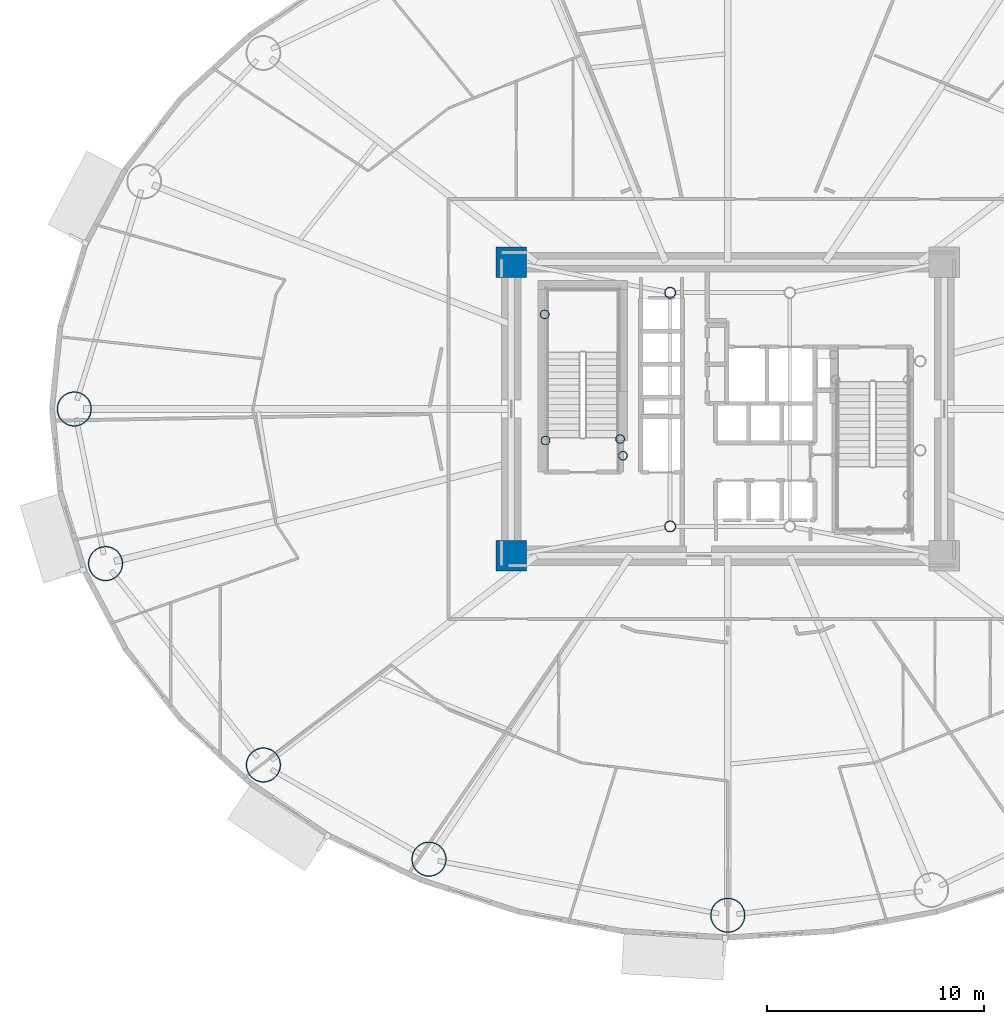
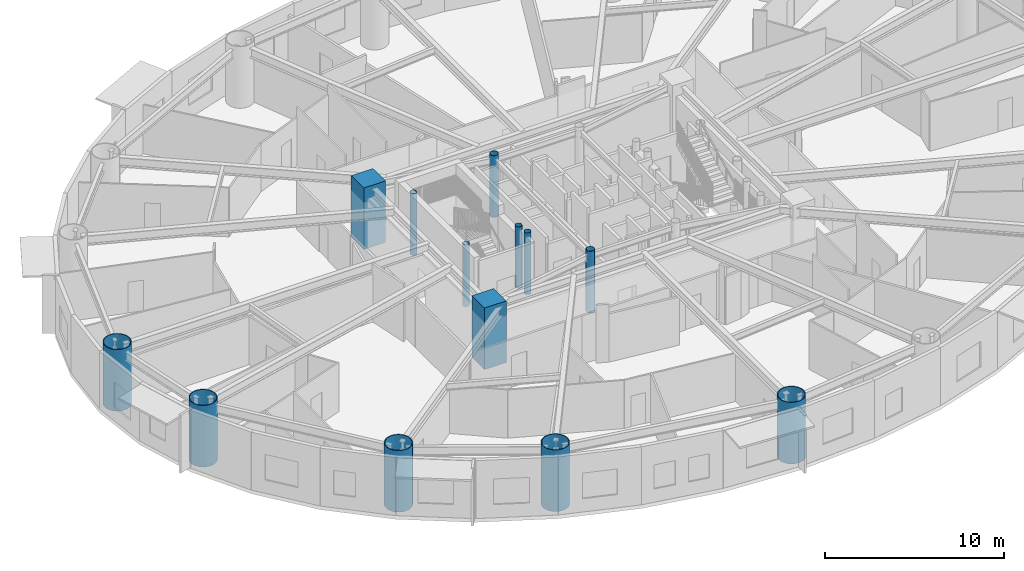
# One storey, part 1 of 21: 13 columns.
"""IFC4 building model written with IfcOpenShell, lengths in metres."""

from ifc_helpers import new_model, si_unit, direction, frame, origin, origin_2d, place, context, subcontext, project, spatial, rectangle, hollow_circle, extrude, material, material_profile, profile_set, type_object, element, save


model = new_model("IFC4")

# Units and contexts
model_context = context("Model", 3, precision=1e-05, world=origin(), true_north=direction((0.0, 1.0)))
body_context = subcontext(model_context, "Body", "Model", "MODEL_VIEW")
ifc_project = project(units=[si_unit("LENGTHUNIT", "METRE"), si_unit("AREAUNIT", "SQUARE_METRE"), si_unit("VOLUMEUNIT", "CUBIC_METRE"), si_unit("PLANEANGLEUNIT", "RADIAN"), si_unit("MASSUNIT", "GRAM", prefix="KILO")], contexts=[model_context])

# Site, building, storey
site_placement = place(None, origin())
site = spatial("IfcSite", under=ifc_project, at=site_placement, CompositionType="ELEMENT")
building_placement = place(site_placement, origin())
building = spatial("IfcBuilding", under=site, at=building_placement, Name="Linh Dai School and Residence Tower", CompositionType="ELEMENT")
storey_placement = place(building_placement, frame((0.0, 0.0, 78.60009765625)))
storey = spatial("IfcBuildingStorey", under=building, at=storey_placement, Name="L18", CompositionType="ELEMENT", Elevation=78.60009765625)

# Columns
ifc_material_1 = material(Name="Concrete B60 (C50/60)", Category="concrete")
ifc_material_profile_1 = material_profile(ifc_material_1, rectangle(XDim=1.39990234375, YDim=1.39990234375, at=origin_2d()), Name="RC 1400x1400")
ifc_profile_set_1 = profile_set([ifc_material_profile_1], Name="Concrete B60 (C50/60)")
column_type_1 = type_object("IfcColumnType", Name="COL-CC1", PredefinedType="COLUMN", material=ifc_profile_set_1)
for number, where, z_axis, x_axis, name in (
    (1, (26.050048828125, 20.25, 0.0), (0.0, 0.0, 1.0), (1.0, 0.0, 0.0), "L18 Core Corner Pier CC1"),
    (2, (26.050048828125, 33.75, 0.0), (0.0, 0.0, 1.0), (1.0, 0.0, 0.0), "L18 Core Corner Pier CC4"),
):
    element("IfcColumn", number, at=place(storey_placement, frame(where, z_axis=z_axis, x_axis=x_axis)), inside=storey, type_object=column_type_1, Name=name, PredefinedType="COLUMN", context=body_context, shape_type="SweptSolid", body=[
        extrude(rectangle(XDim=1.39990234375, YDim=1.39990234375, at=origin_2d()), origin(), (0.0, 0.0, 1.0), 4.199951171875),
    ])
ifc_material_2 = material(Name="Structural Steel S355JR", Category="steel")
ifc_material_profile_2 = material_profile(ifc_material_2, hollow_circle(Radius=0.203125, WallThickness=0.01611328125, at=origin_2d()), Name="CHS 406.4x16")
ifc_profile_set_2 = profile_set([ifc_material_profile_2], Name="Structural Steel S355JR")
column_type_2 = type_object("IfcColumnType", Name="COL-EC", PredefinedType="COLUMN", material=ifc_profile_set_2)
for number, where, z_axis, x_axis, name in (
    (3, (27.580078125, 31.35009765625, 0.0), (0.0, 0.0, 1.0), (1.0, 0.0, 0.0), "L18 Stair Shaft Landing Support Pier ST1NW"),
    (4, (31.050048828125, 25.6201171875, 0.0), (0.0, 0.0, 1.0), (1.0, 0.0, 0.0), "L18 Stair Shaft Landing Support Pier ST1SE"),
    (5, (31.179931640625, 24.85009765625, 0.0), (0.0, 0.0, 1.0), (1.0, 0.0, 0.0), "L18 Stair Shaft Landing Support Pier ST1SM"),
    (6, (27.6201171875, 25.550048828125, 0.0), (0.0, 0.0, 1.0), (1.0, 0.0, 0.0), "L18 Stair Shaft Landing Support Pier ST1SW"),
):
    element("IfcColumn", number, at=place(storey_placement, frame(where, z_axis=z_axis, x_axis=x_axis)), inside=storey, type_object=column_type_2, Name=name, PredefinedType="COLUMN", context=body_context, shape_type="SweptSolid", body=[
        extrude(hollow_circle(Radius=0.203125, WallThickness=0.01611328125, at=origin_2d()), origin(), (0.0, 0.0, 1.0), 4.199951171875),
    ])
ifc_material_profile_3 = material_profile(ifc_material_2, hollow_circle(Radius=0.800048828125, WallThickness=0.044921875, at=origin_2d()), Name="CHS 1600x45")
ifc_profile_set_3 = profile_set([ifc_material_profile_3], Name="Structural Steel S355JR")
column_type_3 = type_object("IfcColumnType", Name="COL-MC2", PredefinedType="COLUMN", material=ifc_profile_set_3)
for number, where, z_axis, x_axis, name in (
    (7, (5.949951171875, 27.0, 0.0), (0.0, 0.0, 1.0), (1.0, 0.0, 0.0), "L18 Perimeter CFT Mega-Column MC09"),
    (8, (7.38916015625, 19.891357421875, 0.0), (0.0, 0.0, 1.0), (1.0, 0.0, 0.0), "L18 Perimeter CFT Mega-Column MC10"),
    (9, (14.647216796875, 10.630859375, 0.0), (0.0, 0.0, 1.0), (1.0, 0.0, 0.0), "L18 Perimeter CFT Mega-Column MC11"),
    (10, (22.26171875, 6.30078125, 0.0), (0.0, 0.0, 1.0), (1.0, 0.0, 0.0), "L18 Perimeter CFT Mega-Column MC12"),
    (11, (36.0, 3.719970703125, 0.0), (0.0, 0.0, 1.0), (1.0, 0.0, 0.0), "L18 Perimeter CFT Mega-Column MC13"),
):
    element("IfcColumn", number, at=place(storey_placement, frame(where, z_axis=z_axis, x_axis=x_axis)), inside=storey, type_object=column_type_3, Name=name, PredefinedType="COLUMN", context=body_context, shape_type="SweptSolid", body=[
        extrude(hollow_circle(Radius=0.800048828125, WallThickness=0.044921875, at=origin_2d()), origin(), (0.0, 0.0, 1.0), 4.199951171875),
    ])
ifc_material_profile_4 = material_profile(ifc_material_2, hollow_circle(Radius=0.25390625, WallThickness=0.02001953125, at=origin_2d()), Name="CHS 508x20")
ifc_profile_set_4 = profile_set([ifc_material_profile_4], Name="Structural Steel S355JR")
column_type_4 = type_object("IfcColumnType", Name="COL-MCP", PredefinedType="COLUMN", material=ifc_profile_set_4)
for number, where, z_axis, x_axis, name in (
    (12, (33.35009765625, 21.60009765625, 0.0), (0.0, 0.0, 1.0), (1.0, 0.0, 0.0), "L18 Core Mast Support Pier MCP1"),
    (13, (33.35009765625, 32.35009765625, 0.0), (0.0, 0.0, 1.0), (1.0, 0.0, 0.0), "L18 Core Mast Support Pier MCP4"),
):
    element("IfcColumn", number, at=place(storey_placement, frame(where, z_axis=z_axis, x_axis=x_axis)), inside=storey, type_object=column_type_4, Name=name, PredefinedType="COLUMN", context=body_context, shape_type="SweptSolid", body=[
        extrude(hollow_circle(Radius=0.25390625, WallThickness=0.02001953125, at=origin_2d()), origin(), (0.0, 0.0, 1.0), 4.199951171875),
    ])

save(model, "model.ifc")
